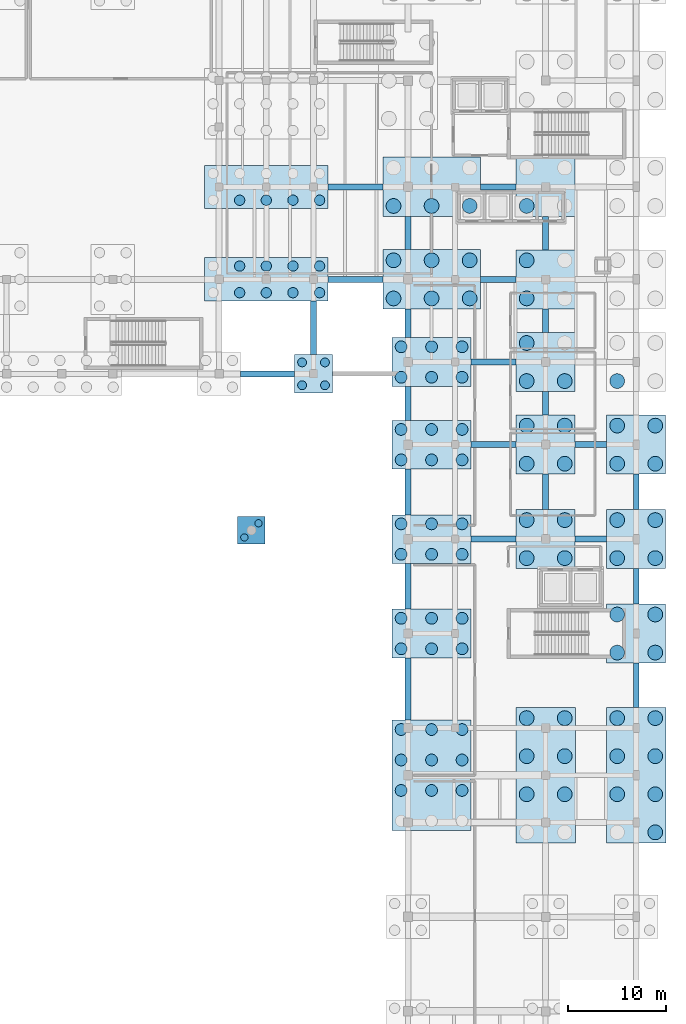
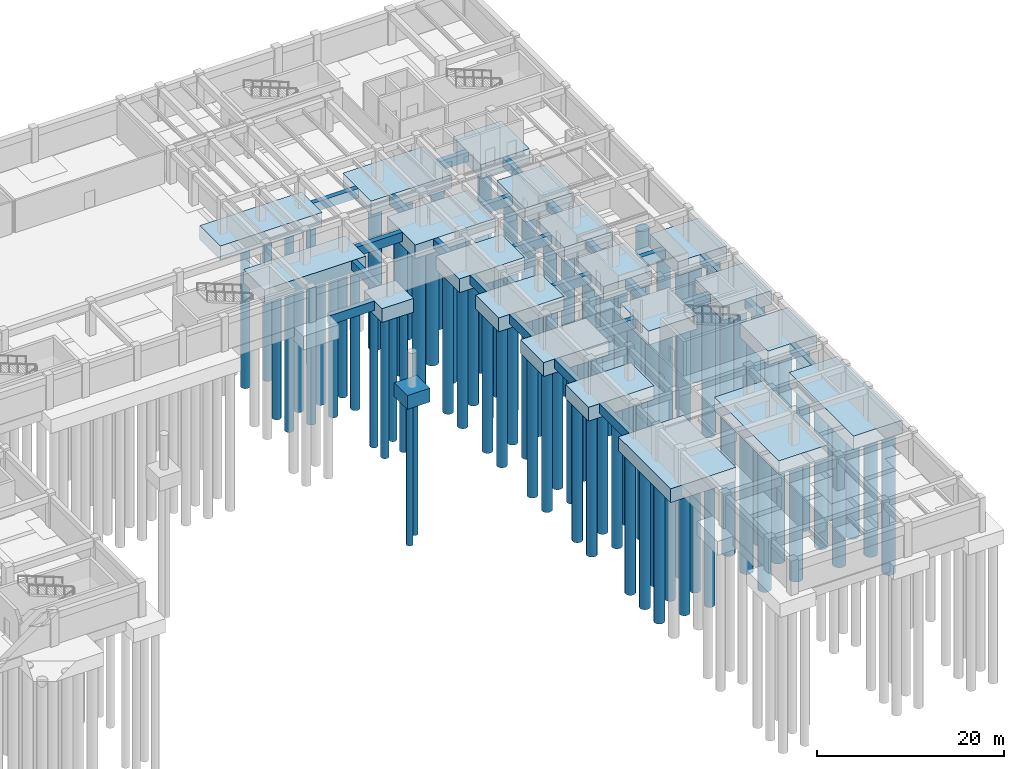
# One storey, part 5 of 33: 100 piles, 45 footings.
"""IFC4 building model written with IfcOpenShell, lengths in metres."""

from ifc_helpers import new_model, si_unit, direction, frame, origin, origin_2d, place, context, subcontext, project, spatial, rectangle, circle, extrude, material, material_profile, profile_set, type_object, element, save


model = new_model("IFC4")

# Units and contexts
model_context = context("Model", 3, precision=1e-05, world=origin(), true_north=direction((0.0, 1.0)))
body_context = subcontext(model_context, "Body", "Model", "MODEL_VIEW")
ifc_project = project(units=[si_unit("LENGTHUNIT", "METRE"), si_unit("AREAUNIT", "SQUARE_METRE"), si_unit("VOLUMEUNIT", "CUBIC_METRE"), si_unit("PLANEANGLEUNIT", "RADIAN"), si_unit("MASSUNIT", "GRAM", prefix="KILO")], contexts=[model_context])

# Site, building, storey
site_placement = place(None, origin())
site = spatial("IfcSite", under=ifc_project, at=site_placement, CompositionType="ELEMENT")
building_placement = place(site_placement, origin())
building = spatial("IfcBuilding", under=site, at=building_placement, Name="Veldera Park Congress Hotel", CompositionType="ELEMENT")
storey_placement = place(building_placement, frame((0.0, 0.0, -4.5)))
storey = spatial("IfcBuildingStorey", under=building, at=storey_placement, Name="B1", CompositionType="ELEMENT", Elevation=-4.5)

# Footings
ifc_material = material(Name="Concrete f'c 40 MPa (5,800 psi)", Category="concrete")
footing_type_1 = type_object("IfcFootingType", Name="FB-600X1200", PredefinedType="FOOTING_BEAM", material=ifc_material)
footing_1_placement = place(storey_placement, frame((69.512451171875, 0.60009765625, -1.2001953125), z_axis=(0.0, 0.0, 1.0), x_axis=(1.0, 0.0, 0.0)))
element("IfcFooting", 1, at=footing_1_placement, inside=storey, type_object=footing_type_1, Name="Foundation Tie Beam FB-600X1200 36", PredefinedType="FOOTING_BEAM", context=body_context, shape_type="SweptSolid", body=[
    extrude(rectangle(XDim=4.574951171875, YDim=0.60009765625, at=origin_2d()), origin(), (0.0, 0.0, 1.0), 1.199951171875),
])
footing_2_placement = place(storey_placement, frame((79.39990234375, 0.60009765625, -1.2001953125), z_axis=(0.0, 0.0, 1.0), x_axis=(1.0, 0.0, 0.0)))
element("IfcFooting", 2, at=footing_2_placement, inside=storey, type_object=footing_type_1, Name="Foundation Tie Beam FB-600X1200 37", PredefinedType="FOOTING_BEAM", context=body_context, shape_type="SweptSolid", body=[
    extrude(rectangle(XDim=3.199951171875, YDim=0.60009765625, at=origin_2d()), origin(), (0.0, 0.0, 1.0), 1.199951171875),
])
footing_3_placement = place(storey_placement, frame((69.512451171875, 10.199951171875, -1.2001953125), z_axis=(0.0, 0.0, 1.0), x_axis=(1.0, 0.0, 0.0)))
element("IfcFooting", 3, at=footing_3_placement, inside=storey, type_object=footing_type_1, Name="Foundation Tie Beam FB-600X1200 41", PredefinedType="FOOTING_BEAM", context=body_context, shape_type="SweptSolid", body=[
    extrude(rectangle(XDim=4.574951171875, YDim=0.60009765625, at=origin_2d()), origin(), (0.0, 0.0, 1.0), 1.199951171875),
])
footing_4_placement = place(storey_placement, frame((79.39990234375, 10.199951171875, -1.2001953125), z_axis=(0.0, 0.0, 1.0), x_axis=(1.0, 0.0, 0.0)))
element("IfcFooting", 4, at=footing_4_placement, inside=storey, type_object=footing_type_1, Name="Foundation Tie Beam FB-600X1200 42", PredefinedType="FOOTING_BEAM", context=body_context, shape_type="SweptSolid", body=[
    extrude(rectangle(XDim=3.199951171875, YDim=0.60009765625, at=origin_2d()), origin(), (0.0, 0.0, 1.0), 1.199951171875),
])
footing_5_placement = place(storey_placement, frame((46.52490234375, 17.39990234375, -1.2001953125), z_axis=(0.0, 0.0, 1.0), x_axis=(1.0, 0.0, 0.0)))
element("IfcFooting", 5, at=footing_5_placement, inside=storey, type_object=footing_type_1, Name="Foundation Tie Beam FB-600X1200 47", PredefinedType="FOOTING_BEAM", context=body_context, shape_type="SweptSolid", body=[
    extrude(rectangle(XDim=5.449951171875, YDim=0.60009765625, at=origin_2d()), origin(), (0.0, 0.0, 1.0), 1.199951171875),
])
footing_6_placement = place(storey_placement, frame((69.512451171875, 18.60009765625, -1.2001953125), z_axis=(0.0, 0.0, 1.0), x_axis=(1.0, 0.0, 0.0)))
element("IfcFooting", 6, at=footing_6_placement, inside=storey, type_object=footing_type_1, Name="Foundation Tie Beam FB-600X1200 48", PredefinedType="FOOTING_BEAM", context=body_context, shape_type="SweptSolid", body=[
    extrude(rectangle(XDim=4.574951171875, YDim=0.60009765625, at=origin_2d()), origin(), (0.0, 0.0, 1.0), 1.199951171875),
])
footing_7_placement = place(storey_placement, frame((55.46240234375, 27.0, -1.2001953125), z_axis=(0.0, 0.0, 1.0), x_axis=(1.0, 0.0, 0.0)))
element("IfcFooting", 7, at=footing_7_placement, inside=storey, type_object=footing_type_1, Name="Foundation Tie Beam FB-600X1200 62", PredefinedType="FOOTING_BEAM", context=body_context, shape_type="SweptSolid", body=[
    extrude(rectangle(XDim=5.574951171875, YDim=0.60009765625, at=origin_2d()), origin(), (0.0, 0.0, 1.0), 1.199951171875),
])
footing_8_placement = place(storey_placement, frame((69.97509765625, 27.0, -1.2001953125), z_axis=(0.0, 0.0, 1.0), x_axis=(1.0, 0.0, 0.0)))
element("IfcFooting", 8, at=footing_8_placement, inside=storey, type_object=footing_type_1, Name="Foundation Tie Beam FB-600X1200 63", PredefinedType="FOOTING_BEAM", context=body_context, shape_type="SweptSolid", body=[
    extrude(rectangle(XDim=3.64990234375, YDim=0.60009765625, at=origin_2d()), origin(), (0.0, 0.0, 1.0), 1.199951171875),
])
footing_9_placement = place(storey_placement, frame((55.46240234375, 36.39990234375, -1.2001953125), z_axis=(0.0, 0.0, 1.0), x_axis=(1.0, 0.0, 0.0)))
element("IfcFooting", 9, at=footing_9_placement, inside=storey, type_object=footing_type_1, Name="Foundation Tie Beam FB-600X1200 69", PredefinedType="FOOTING_BEAM", context=body_context, shape_type="SweptSolid", body=[
    extrude(rectangle(XDim=5.574951171875, YDim=0.60009765625, at=origin_2d()), origin(), (0.0, 0.0, 1.0), 1.199951171875),
])
footing_10_placement = place(storey_placement, frame((69.97509765625, 36.39990234375, -1.2001953125), z_axis=(0.0, 0.0, 1.0), x_axis=(1.0, 0.0, 0.0)))
element("IfcFooting", 10, at=footing_10_placement, inside=storey, type_object=footing_type_1, Name="Foundation Tie Beam FB-600X1200 70", PredefinedType="FOOTING_BEAM", context=body_context, shape_type="SweptSolid", body=[
    extrude(rectangle(XDim=3.64990234375, YDim=0.60009765625, at=origin_2d()), origin(), (0.0, 0.0, 1.0), 1.199951171875),
])
footing_11_placement = place(storey_placement, frame((51.199951171875, 22.074951171875, -1.2001953125), z_axis=(0.0, 0.0, 1.0), x_axis=(0.0, 1.0, 0.0)))
element("IfcFooting", 11, at=footing_11_placement, inside=storey, type_object=footing_type_1, Name="Foundation Tie Beam FB-600X1200 135", PredefinedType="FOOTING_BEAM", context=body_context, shape_type="SweptSolid", body=[
    extrude(rectangle(XDim=5.449951171875, YDim=0.60009765625, at=origin_2d()), origin(), (0.0, 0.0, 1.0), 1.199951171875),
])
footing_12_placement = place(storey_placement, frame((60.800048828125, -14.637451171875, -1.2001953125), z_axis=(0.0, 0.0, 1.0), x_axis=(0.0, 1.0, 0.0)))
element("IfcFooting", 12, at=footing_12_placement, inside=storey, type_object=footing_type_1, Name="Foundation Tie Beam FB-600X1200 138", PredefinedType="FOOTING_BEAM", context=body_context, shape_type="SweptSolid", body=[
    extrude(rectangle(XDim=6.324951171875, YDim=0.60009765625, at=origin_2d()), origin(), (0.0, 0.0, 1.0), 1.199951171875),
])
for number, where, z_axis, x_axis, name in (
    (13, (60.800048828125, -4.199951171875, -1.2001953125), (0.0, 0.0, 1.0), (0.0, 1.0, 0.0), "Foundation Tie Beam FB-600X1200 139"),
    (14, (60.800048828125, 5.39990234375, -1.2001953125), (0.0, 0.0, 1.0), (0.0, 1.0, 0.0), "Foundation Tie Beam FB-600X1200 140"),
):
    element("IfcFooting", number, at=place(storey_placement, frame(where, z_axis=z_axis, x_axis=x_axis)), inside=storey, type_object=footing_type_1, Name=name, PredefinedType="FOOTING_BEAM", context=body_context, shape_type="SweptSolid", body=[
        extrude(rectangle(XDim=4.64990234375, YDim=0.60009765625, at=origin_2d()), origin(), (0.0, 0.0, 1.0), 1.199951171875),
    ])
footing_13_placement = place(storey_placement, frame((60.800048828125, 14.39990234375, -1.2001953125), z_axis=(0.0, 0.0, 1.0), x_axis=(0.0, 1.0, 0.0)))
element("IfcFooting", 15, at=footing_13_placement, inside=storey, type_object=footing_type_1, Name="Foundation Tie Beam FB-600X1200 141", PredefinedType="FOOTING_BEAM", context=body_context, shape_type="SweptSolid", body=[
    extrude(rectangle(XDim=3.449951171875, YDim=0.60009765625, at=origin_2d()), origin(), (0.0, 0.0, 1.0), 1.199951171875),
])
footing_14_placement = place(storey_placement, frame((60.800048828125, 22.52490234375, -1.2001953125), z_axis=(0.0, 0.0, 1.0), x_axis=(0.0, 1.0, 0.0)))
element("IfcFooting", 16, at=footing_14_placement, inside=storey, type_object=footing_type_1, Name="Foundation Tie Beam FB-600X1200 142", PredefinedType="FOOTING_BEAM", context=body_context, shape_type="SweptSolid", body=[
    extrude(rectangle(XDim=2.89990234375, YDim=0.60009765625, at=origin_2d()), origin(), (0.0, 0.0, 1.0), 1.199951171875),
])
footing_15_placement = place(storey_placement, frame((60.800048828125, 31.699951171875, -1.2001953125), z_axis=(0.0, 0.0, 1.0), x_axis=(0.0, 1.0, 0.0)))
element("IfcFooting", 17, at=footing_15_placement, inside=storey, type_object=footing_type_1, Name="Foundation Tie Beam FB-600X1200 143", PredefinedType="FOOTING_BEAM", context=body_context, shape_type="SweptSolid", body=[
    extrude(rectangle(XDim=3.35009765625, YDim=0.60009765625, at=origin_2d()), origin(), (0.0, 0.0, 1.0), 1.199951171875),
])
footing_16_placement = place(storey_placement, frame((74.800048828125, 5.39990234375, -1.2001953125), z_axis=(0.0, 0.0, 1.0), x_axis=(0.0, 1.0, 0.0)))
element("IfcFooting", 18, at=footing_16_placement, inside=storey, type_object=footing_type_1, Name="Foundation Tie Beam FB-600X1200 148", PredefinedType="FOOTING_BEAM", context=body_context, shape_type="SweptSolid", body=[
    extrude(rectangle(XDim=3.60009765625, YDim=0.60009765625, at=origin_2d()), origin(), (0.0, 0.0, 1.0), 1.199951171875),
])
for number, where, z_axis, x_axis, name in (
    (19, (74.800048828125, 14.39990234375, -1.2001953125), (0.0, 0.0, 1.0), (0.0, 1.0, 0.0), "Foundation Tie Beam FB-600X1200 149"),
    (20, (74.800048828125, 22.800048828125, -1.2001953125), (0.0, 0.0, 1.0), (0.0, 1.0, 0.0), "Foundation Tie Beam FB-600X1200 150"),
):
    element("IfcFooting", number, at=place(storey_placement, frame(where, z_axis=z_axis, x_axis=x_axis)), inside=storey, type_object=footing_type_1, Name=name, PredefinedType="FOOTING_BEAM", context=body_context, shape_type="SweptSolid", body=[
        extrude(rectangle(XDim=2.39990234375, YDim=0.60009765625, at=origin_2d()), origin(), (0.0, 0.0, 1.0), 1.199951171875),
    ])
footing_17_placement = place(storey_placement, frame((74.800048828125, 31.699951171875, -1.2001953125), z_axis=(0.0, 0.0, 1.0), x_axis=(0.0, 1.0, 0.0)))
element("IfcFooting", 21, at=footing_17_placement, inside=storey, type_object=footing_type_1, Name="Foundation Tie Beam FB-600X1200 151", PredefinedType="FOOTING_BEAM", context=body_context, shape_type="SweptSolid", body=[
    extrude(rectangle(XDim=3.39990234375, YDim=0.60009765625, at=origin_2d()), origin(), (0.0, 0.0, 1.0), 1.199951171875),
])
footing_18_placement = place(storey_placement, frame((84.0, -14.262451171875, -1.2001953125), z_axis=(0.0, 0.0, 1.0), x_axis=(0.0, 1.0, 0.0)))
element("IfcFooting", 22, at=footing_18_placement, inside=storey, type_object=footing_type_1, Name="Foundation Tie Beam FB-600X1200 156", PredefinedType="FOOTING_BEAM", context=body_context, shape_type="SweptSolid", body=[
    extrude(rectangle(XDim=4.52490234375, YDim=0.60009765625, at=origin_2d()), origin(), (0.0, 0.0, 1.0), 1.199951171875),
])
for number, where, z_axis, x_axis, name in (
    (23, (84.0, -4.199951171875, -1.2001953125), (0.0, 0.0, 1.0), (0.0, 1.0, 0.0), "Foundation Tie Beam FB-600X1200 157"),
    (24, (84.0, 5.39990234375, -1.2001953125), (0.0, 0.0, 1.0), (0.0, 1.0, 0.0), "Foundation Tie Beam FB-600X1200 158"),
):
    element("IfcFooting", number, at=place(storey_placement, frame(where, z_axis=z_axis, x_axis=x_axis)), inside=storey, type_object=footing_type_1, Name=name, PredefinedType="FOOTING_BEAM", context=body_context, shape_type="SweptSolid", body=[
        extrude(rectangle(XDim=3.60009765625, YDim=0.60009765625, at=origin_2d()), origin(), (0.0, 0.0, 1.0), 1.199951171875),
    ])
footing_type_2 = type_object("IfcFootingType", Name="PC-1255X440", PredefinedType="PILE_CAP", material=ifc_material)
for number, where, z_axis, x_axis, name in (
    (25, (46.39990234375, 27.0, -1.7998046875), (0.0, 0.0, 1.0), (1.0, 0.0, 0.0), "Pile Cap PC-1255X440 at (46.4, 27.0)"),
    (26, (46.39990234375, 36.39990234375, -1.7998046875), (0.0, 0.0, 1.0), (1.0, 0.0, 0.0), "Pile Cap PC-1255X440 at (46.4, 36.4)"),
):
    element("IfcFooting", number, at=place(storey_placement, frame(where, z_axis=z_axis, x_axis=x_axis)), inside=storey, type_object=footing_type_2, Name=name, PredefinedType="PILE_CAP", context=body_context, shape_type="SweptSolid", body=[
        extrude(rectangle(XDim=12.550048828125, YDim=4.39990234375, at=origin_2d()), origin(), (0.0, 0.0, 1.0), 1.800048828125),
    ])
footing_type_3 = type_object("IfcFootingType", Name="PC-280", PredefinedType="PILE_CAP", material=ifc_material)
footing_19_placement = place(storey_placement, frame((44.89013671875, 1.489990234375, -1.7998046875), z_axis=(0.0, 0.0, 1.0), x_axis=(1.0, 0.0, 0.0)))
element("IfcFooting", 27, at=footing_19_placement, inside=storey, type_object=footing_type_3, Name="Bridge Pier Pile Cap 2", PredefinedType="PILE_CAP", context=body_context, shape_type="SweptSolid", body=[
    extrude(rectangle(XDim=2.800048828125, YDim=2.800048828125, at=origin_2d()), origin(), (0.0, 0.0, 1.0), 1.800048828125),
])
footing_type_4 = type_object("IfcFootingType", Name="PC-390", PredefinedType="PILE_CAP", material=ifc_material)
footing_20_placement = place(storey_placement, frame((51.199951171875, 17.39990234375, -1.7998046875), z_axis=(0.0, 0.0, 1.0), x_axis=(1.0, 0.0, 0.0)))
element("IfcFooting", 28, at=footing_20_placement, inside=storey, type_object=footing_type_4, Name="Pile Cap PC-390 at (51.2, 17.4)", PredefinedType="PILE_CAP", context=body_context, shape_type="SweptSolid", body=[
    extrude(rectangle(XDim=3.89990234375, YDim=3.89990234375, at=origin_2d()), origin(), (0.0, 0.0, 1.0), 1.800048828125),
])
footing_type_5 = type_object("IfcFootingType", Name="PC-600", PredefinedType="PILE_CAP", material=ifc_material)
for number, where, z_axis, x_axis, name in (
    (29, (74.800048828125, 0.60009765625, -1.7998046875), (0.0, 0.0, 1.0), (1.0, 0.0, 0.0), "Pile Cap PC-600 at (74.8, 0.6)"),
    (30, (74.800048828125, 10.199951171875, -1.7998046875), (0.0, 0.0, 1.0), (1.0, 0.0, 0.0), "Pile Cap PC-600 at (74.8, 10.2)"),
    (31, (74.800048828125, 18.60009765625, -1.7998046875), (0.0, 0.0, 1.0), (1.0, 0.0, 0.0), "Pile Cap PC-600 at (74.8, 18.6)"),
    (32, (74.800048828125, 27.0, -1.7998046875), (0.0, 0.0, 1.0), (1.0, 0.0, 0.0), "Pile Cap PC-600 at (74.8, 27.0)"),
    (33, (74.800048828125, 36.39990234375, -1.7998046875), (0.0, 0.0, 1.0), (1.0, 0.0, 0.0), "Pile Cap PC-600 at (74.8, 36.4)"),
    (34, (84.0, -9.0, -1.7998046875), (0.0, 0.0, 1.0), (1.0, 0.0, 0.0), "Pile Cap PC-600 at (84.0, -9.0)"),
    (35, (84.0, 0.60009765625, -1.7998046875), (0.0, 0.0, 1.0), (1.0, 0.0, 0.0), "Pile Cap PC-600 at (84.0, 0.6)"),
    (36, (84.0, 10.199951171875, -1.7998046875), (0.0, 0.0, 1.0), (1.0, 0.0, 0.0), "Pile Cap PC-600 at (84.0, 10.2)"),
):
    element("IfcFooting", number, at=place(storey_placement, frame(where, z_axis=z_axis, x_axis=x_axis)), inside=storey, type_object=footing_type_5, Name=name, PredefinedType="PILE_CAP", context=body_context, shape_type="SweptSolid", body=[
        extrude(rectangle(XDim=6.0, YDim=6.0, at=origin_2d()), origin(), (0.0, 0.0, 1.0), 1.800048828125),
    ])
footing_type_6 = type_object("IfcFootingType", Name="PC-605X1375", PredefinedType="PILE_CAP", material=ifc_material)
for number, where, z_axis, x_axis, name in (
    (37, (74.800048828125, -23.39990234375, -1.7998046875), (0.0, 0.0, 1.0), (1.0, 0.0, 0.0), "Pile Cap PC-605X1375 at (74.8, -23.4)"),
    (38, (84.0, -23.39990234375, -1.7998046875), (0.0, 0.0, 1.0), (1.0, 0.0, 0.0), "Pile Cap PC-605X1375 at (84.0, -23.4)"),
):
    element("IfcFooting", number, at=place(storey_placement, frame(where, z_axis=z_axis, x_axis=x_axis)), inside=storey, type_object=footing_type_6, Name=name, PredefinedType="PILE_CAP", context=body_context, shape_type="SweptSolid", body=[
        extrude(rectangle(XDim=6.050048828125, YDim=13.75, at=origin_2d()), origin(), (0.0, 0.0, 1.0), 1.800048828125),
    ])
footing_type_7 = type_object("IfcFootingType", Name="PC-805X1120", PredefinedType="PILE_CAP", material=ifc_material)
footing_21_placement = place(storey_placement, frame((63.199951171875, -23.39990234375, -1.7998046875), z_axis=(0.0, 0.0, 1.0), x_axis=(1.0, 0.0, 0.0)))
element("IfcFooting", 39, at=footing_21_placement, inside=storey, type_object=footing_type_7, Name="Pile Cap PC-805X1120 at (63.2, -23.4)", PredefinedType="PILE_CAP", context=body_context, shape_type="SweptSolid", body=[
    extrude(rectangle(XDim=8.050048828125, YDim=11.199951171875, at=origin_2d()), origin(), (0.0, 0.0, 1.0), 1.800048828125),
])
footing_type_8 = type_object("IfcFootingType", Name="PC-805X495", PredefinedType="PILE_CAP", material=ifc_material)
for number, where, z_axis, x_axis, name in (
    (40, (63.199951171875, -9.0, -1.7998046875), (0.0, 0.0, 1.0), (1.0, 0.0, 0.0), "Pile Cap PC-805X495 at (63.2, -9.0)"),
    (41, (63.199951171875, 0.60009765625, -1.7998046875), (0.0, 0.0, 1.0), (1.0, 0.0, 0.0), "Pile Cap PC-805X495 at (63.2, 0.6)"),
    (42, (63.199951171875, 10.199951171875, -1.7998046875), (0.0, 0.0, 1.0), (1.0, 0.0, 0.0), "Pile Cap PC-805X495 at (63.2, 10.2)"),
    (43, (63.199951171875, 18.60009765625, -1.7998046875), (0.0, 0.0, 1.0), (1.0, 0.0, 0.0), "Pile Cap PC-805X495 at (63.2, 18.6)"),
):
    element("IfcFooting", number, at=place(storey_placement, frame(where, z_axis=z_axis, x_axis=x_axis)), inside=storey, type_object=footing_type_8, Name=name, PredefinedType="PILE_CAP", context=body_context, shape_type="SweptSolid", body=[
        extrude(rectangle(XDim=8.050048828125, YDim=4.949951171875, at=origin_2d()), origin(), (0.0, 0.0, 1.0), 1.800048828125),
    ])
footing_type_9 = type_object("IfcFootingType", Name="PC-990X605", PredefinedType="PILE_CAP", material=ifc_material)
for number, where, z_axis, x_axis, name in (
    (44, (63.199951171875, 27.0, -1.7998046875), (0.0, 0.0, 1.0), (1.0, 0.0, 0.0), "Pile Cap PC-990X605 at (63.2, 27.0)"),
    (45, (63.199951171875, 36.39990234375, -1.7998046875), (0.0, 0.0, 1.0), (1.0, 0.0, 0.0), "Pile Cap PC-990X605 at (63.2, 36.4)"),
):
    element("IfcFooting", number, at=place(storey_placement, frame(where, z_axis=z_axis, x_axis=x_axis)), inside=storey, type_object=footing_type_9, Name=name, PredefinedType="PILE_CAP", context=body_context, shape_type="SweptSolid", body=[
        extrude(rectangle(XDim=9.89990234375, YDim=6.050048828125, at=origin_2d()), origin(), (0.0, 0.0, 1.0), 1.800048828125),
    ])

# Piles
ifc_material_profile_1 = material_profile(ifc_material, circle(Radius=0.52490234375, at=origin_2d()), Name="PILE D1050")
ifc_profile_set_1 = profile_set([ifc_material_profile_1], Name="Concrete f'c 40 MPa (5,800 psi)")
pile_type_1 = type_object("IfcPileType", Name="PIL-1050", PredefinedType="BORED", material=ifc_profile_set_1)
for number, where, z_axis, x_axis, name in (
    (46, (43.69091796875, 25.6455078125, -1.64990234375), (0.0, 0.0, -1.0), (1.0, 0.0, 0.0), "Bored Pile PIL-1050 359"),
    (47, (43.69091796875, 28.3544921875, -1.64990234375), (0.0, 0.0, -1.0), (1.0, 0.0, 0.0), "Bored Pile PIL-1050 360"),
    (48, (46.39990234375, 25.6455078125, -1.64990234375), (0.0, 0.0, -1.0), (1.0, 0.0, 0.0), "Bored Pile PIL-1050 361"),
    (49, (46.39990234375, 28.3544921875, -1.64990234375), (0.0, 0.0, -1.0), (1.0, 0.0, 0.0), "Bored Pile PIL-1050 362"),
    (50, (49.10888671875, 25.6455078125, -1.64990234375), (0.0, 0.0, -1.0), (1.0, 0.0, 0.0), "Bored Pile PIL-1050 363"),
    (51, (49.10888671875, 28.3544921875, -1.64990234375), (0.0, 0.0, -1.0), (1.0, 0.0, 0.0), "Bored Pile PIL-1050 364"),
    (52, (51.818115234375, 25.6455078125, -1.64990234375), (0.0, 0.0, -1.0), (1.0, 0.0, 0.0), "Bored Pile PIL-1050 365"),
    (53, (51.818115234375, 28.3544921875, -1.64990234375), (0.0, 0.0, -1.0), (1.0, 0.0, 0.0), "Bored Pile PIL-1050 366"),
    (54, (43.69091796875, 35.04541015625, -1.64990234375), (0.0, 0.0, -1.0), (1.0, 0.0, 0.0), "Bored Pile PIL-1050 369"),
    (55, (46.39990234375, 35.04541015625, -1.64990234375), (0.0, 0.0, -1.0), (1.0, 0.0, 0.0), "Bored Pile PIL-1050 371"),
    (56, (49.10888671875, 35.04541015625, -1.64990234375), (0.0, 0.0, -1.0), (1.0, 0.0, 0.0), "Bored Pile PIL-1050 373"),
    (57, (51.818115234375, 35.04541015625, -1.64990234375), (0.0, 0.0, -1.0), (1.0, 0.0, 0.0), "Bored Pile PIL-1050 375"),
):
    element("IfcPile", number, at=place(storey_placement, frame(where, z_axis=z_axis, x_axis=x_axis)), inside=storey, type_object=pile_type_1, Name=name, PredefinedType="BORED", context=body_context, shape_type="SweptSolid", body=[
        extrude(circle(Radius=0.52490234375, at=origin_2d()), origin(), (0.0, 0.0, 1.0), 18.35009765625),
    ])
ifc_material_profile_2 = material_profile(ifc_material, circle(Radius=0.60009765625, at=origin_2d()), Name="PILE D1200")
ifc_profile_set_2 = profile_set([ifc_material_profile_2], Name="Concrete f'c 40 MPa (5,800 psi)")
pile_type_2 = type_object("IfcPileType", Name="PIL-1200", PredefinedType="BORED", material=ifc_profile_set_2)
for number, where, z_axis, x_axis, name in (
    (58, (60.10400390625, -24.947998046875, -1.64990234375), (0.0, 0.0, -1.0), (1.0, 0.0, 0.0), "Bored Pile PIL-1200 419"),
    (59, (60.10400390625, -21.85205078125, -1.64990234375), (0.0, 0.0, -1.0), (1.0, 0.0, 0.0), "Bored Pile PIL-1200 420"),
    (60, (60.10400390625, -18.756103515625, -1.64990234375), (0.0, 0.0, -1.0), (1.0, 0.0, 0.0), "Bored Pile PIL-1200 421"),
    (61, (63.199951171875, -24.947998046875, -1.64990234375), (0.0, 0.0, -1.0), (1.0, 0.0, 0.0), "Bored Pile PIL-1200 423"),
    (62, (63.199951171875, -21.85205078125, -1.64990234375), (0.0, 0.0, -1.0), (1.0, 0.0, 0.0), "Bored Pile PIL-1200 424"),
    (63, (63.199951171875, -18.756103515625, -1.64990234375), (0.0, 0.0, -1.0), (1.0, 0.0, 0.0), "Bored Pile PIL-1200 425"),
    (64, (66.2958984375, -24.947998046875, -1.64990234375), (0.0, 0.0, -1.0), (1.0, 0.0, 0.0), "Bored Pile PIL-1200 427"),
    (65, (66.2958984375, -21.85205078125, -1.64990234375), (0.0, 0.0, -1.0), (1.0, 0.0, 0.0), "Bored Pile PIL-1200 428"),
    (66, (66.2958984375, -18.756103515625, -1.64990234375), (0.0, 0.0, -1.0), (1.0, 0.0, 0.0), "Bored Pile PIL-1200 429"),
    (67, (60.10400390625, -10.548095703125, -1.64990234375), (0.0, 0.0, -1.0), (1.0, 0.0, 0.0), "Bored Pile PIL-1200 430"),
    (68, (60.10400390625, -7.451904296875, -1.64990234375), (0.0, 0.0, -1.0), (1.0, 0.0, 0.0), "Bored Pile PIL-1200 431"),
    (69, (63.199951171875, -10.548095703125, -1.64990234375), (0.0, 0.0, -1.0), (1.0, 0.0, 0.0), "Bored Pile PIL-1200 432"),
    (70, (63.199951171875, -7.451904296875, -1.64990234375), (0.0, 0.0, -1.0), (1.0, 0.0, 0.0), "Bored Pile PIL-1200 433"),
    (71, (66.2958984375, -10.548095703125, -1.64990234375), (0.0, 0.0, -1.0), (1.0, 0.0, 0.0), "Bored Pile PIL-1200 434"),
    (72, (66.2958984375, -7.451904296875, -1.64990234375), (0.0, 0.0, -1.0), (1.0, 0.0, 0.0), "Bored Pile PIL-1200 435"),
    (73, (60.10400390625, -0.947998046875, -1.64990234375), (0.0, 0.0, -1.0), (1.0, 0.0, 0.0), "Bored Pile PIL-1200 436"),
    (74, (60.10400390625, 2.14794921875, -1.64990234375), (0.0, 0.0, -1.0), (1.0, 0.0, 0.0), "Bored Pile PIL-1200 437"),
    (75, (63.199951171875, -0.947998046875, -1.64990234375), (0.0, 0.0, -1.0), (1.0, 0.0, 0.0), "Bored Pile PIL-1200 438"),
    (76, (63.199951171875, 2.14794921875, -1.64990234375), (0.0, 0.0, -1.0), (1.0, 0.0, 0.0), "Bored Pile PIL-1200 439"),
    (77, (66.2958984375, -0.947998046875, -1.64990234375), (0.0, 0.0, -1.0), (1.0, 0.0, 0.0), "Bored Pile PIL-1200 440"),
    (78, (66.2958984375, 2.14794921875, -1.64990234375), (0.0, 0.0, -1.0), (1.0, 0.0, 0.0), "Bored Pile PIL-1200 441"),
    (79, (60.10400390625, 8.652099609375, -1.64990234375), (0.0, 0.0, -1.0), (1.0, 0.0, 0.0), "Bored Pile PIL-1200 442"),
    (80, (60.10400390625, 11.748046875, -1.64990234375), (0.0, 0.0, -1.0), (1.0, 0.0, 0.0), "Bored Pile PIL-1200 443"),
    (81, (63.199951171875, 8.652099609375, -1.64990234375), (0.0, 0.0, -1.0), (1.0, 0.0, 0.0), "Bored Pile PIL-1200 444"),
    (82, (63.199951171875, 11.748046875, -1.64990234375), (0.0, 0.0, -1.0), (1.0, 0.0, 0.0), "Bored Pile PIL-1200 445"),
    (83, (66.2958984375, 8.652099609375, -1.64990234375), (0.0, 0.0, -1.0), (1.0, 0.0, 0.0), "Bored Pile PIL-1200 446"),
    (84, (66.2958984375, 11.748046875, -1.64990234375), (0.0, 0.0, -1.0), (1.0, 0.0, 0.0), "Bored Pile PIL-1200 447"),
    (85, (60.10400390625, 17.052001953125, -1.64990234375), (0.0, 0.0, -1.0), (1.0, 0.0, 0.0), "Bored Pile PIL-1200 448"),
    (86, (60.10400390625, 20.14794921875, -1.64990234375), (0.0, 0.0, -1.0), (1.0, 0.0, 0.0), "Bored Pile PIL-1200 449"),
    (87, (63.199951171875, 17.052001953125, -1.64990234375), (0.0, 0.0, -1.0), (1.0, 0.0, 0.0), "Bored Pile PIL-1200 450"),
    (88, (63.199951171875, 20.14794921875, -1.64990234375), (0.0, 0.0, -1.0), (1.0, 0.0, 0.0), "Bored Pile PIL-1200 451"),
    (89, (66.2958984375, 17.052001953125, -1.64990234375), (0.0, 0.0, -1.0), (1.0, 0.0, 0.0), "Bored Pile PIL-1200 452"),
    (90, (66.2958984375, 20.14794921875, -1.64990234375), (0.0, 0.0, -1.0), (1.0, 0.0, 0.0), "Bored Pile PIL-1200 453"),
):
    element("IfcPile", number, at=place(storey_placement, frame(where, z_axis=z_axis, x_axis=x_axis)), inside=storey, type_object=pile_type_2, Name=name, PredefinedType="BORED", context=body_context, shape_type="SweptSolid", body=[
        extrude(circle(Radius=0.60009765625, at=origin_2d()), origin(), (0.0, 0.0, 1.0), 18.35009765625),
    ])
ifc_material_profile_3 = material_profile(ifc_material, circle(Radius=0.75, at=origin_2d()), Name="PILE D1500")
ifc_profile_set_3 = profile_set([ifc_material_profile_3], Name="Concrete f'c 40 MPa (5,800 psi)")
pile_type_3 = type_object("IfcPileType", Name="PIL-1500", PredefinedType="BORED", material=ifc_profile_set_3)
for number, where, z_axis, x_axis, name in (
    (91, (59.330078125, 25.06494140625, -1.64990234375), (0.0, 0.0, -1.0), (1.0, 0.0, 0.0), "Bored Pile PIL-1500 454"),
    (92, (59.330078125, 28.93505859375, -1.64990234375), (0.0, 0.0, -1.0), (1.0, 0.0, 0.0), "Bored Pile PIL-1500 455"),
    (93, (63.199951171875, 25.06494140625, -1.64990234375), (0.0, 0.0, -1.0), (1.0, 0.0, 0.0), "Bored Pile PIL-1500 456"),
    (94, (63.199951171875, 28.93505859375, -1.64990234375), (0.0, 0.0, -1.0), (1.0, 0.0, 0.0), "Bored Pile PIL-1500 457"),
    (95, (67.070068359375, 25.06494140625, -1.64990234375), (0.0, 0.0, -1.0), (1.0, 0.0, 0.0), "Bored Pile PIL-1500 458"),
    (96, (67.070068359375, 28.93505859375, -1.64990234375), (0.0, 0.0, -1.0), (1.0, 0.0, 0.0), "Bored Pile PIL-1500 459"),
    (97, (59.330078125, 34.465087890625, -1.64990234375), (0.0, 0.0, -1.0), (1.0, 0.0, 0.0), "Bored Pile PIL-1500 460"),
    (98, (63.199951171875, 34.465087890625, -1.64990234375), (0.0, 0.0, -1.0), (1.0, 0.0, 0.0), "Bored Pile PIL-1500 462"),
    (99, (67.070068359375, 34.465087890625, -1.64990234375), (0.0, 0.0, -1.0), (1.0, 0.0, 0.0), "Bored Pile PIL-1500 464"),
    (100, (72.864990234375, -25.3349609375, -1.64990234375), (0.0, 0.0, -1.0), (1.0, 0.0, 0.0), "Bored Pile PIL-1500 489"),
    (101, (72.864990234375, -21.465087890625, -1.64990234375), (0.0, 0.0, -1.0), (1.0, 0.0, 0.0), "Bored Pile PIL-1500 490"),
    (102, (72.864990234375, -17.594970703125, -1.64990234375), (0.0, 0.0, -1.0), (1.0, 0.0, 0.0), "Bored Pile PIL-1500 491"),
    (103, (76.735107421875, -25.3349609375, -1.64990234375), (0.0, 0.0, -1.0), (1.0, 0.0, 0.0), "Bored Pile PIL-1500 493"),
    (104, (76.735107421875, -21.465087890625, -1.64990234375), (0.0, 0.0, -1.0), (1.0, 0.0, 0.0), "Bored Pile PIL-1500 494"),
    (105, (76.735107421875, -17.594970703125, -1.64990234375), (0.0, 0.0, -1.0), (1.0, 0.0, 0.0), "Bored Pile PIL-1500 495"),
    (106, (72.864990234375, -1.3349609375, -1.64990234375), (0.0, 0.0, -1.0), (1.0, 0.0, 0.0), "Bored Pile PIL-1500 496"),
    (107, (76.735107421875, -1.3349609375, -1.64990234375), (0.0, 0.0, -1.0), (1.0, 0.0, 0.0), "Bored Pile PIL-1500 497"),
    (108, (72.864990234375, 2.534912109375, -1.64990234375), (0.0, 0.0, -1.0), (1.0, 0.0, 0.0), "Bored Pile PIL-1500 498"),
    (109, (76.735107421875, 2.534912109375, -1.64990234375), (0.0, 0.0, -1.0), (1.0, 0.0, 0.0), "Bored Pile PIL-1500 499"),
    (110, (72.864990234375, 8.264892578125, -1.64990234375), (0.0, 0.0, -1.0), (1.0, 0.0, 0.0), "Bored Pile PIL-1500 500"),
    (111, (76.735107421875, 8.264892578125, -1.64990234375), (0.0, 0.0, -1.0), (1.0, 0.0, 0.0), "Bored Pile PIL-1500 501"),
    (112, (72.864990234375, 12.135009765625, -1.64990234375), (0.0, 0.0, -1.0), (1.0, 0.0, 0.0), "Bored Pile PIL-1500 502"),
    (113, (76.735107421875, 12.135009765625, -1.64990234375), (0.0, 0.0, -1.0), (1.0, 0.0, 0.0), "Bored Pile PIL-1500 503"),
    (114, (72.864990234375, 16.6650390625, -1.64990234375), (0.0, 0.0, -1.0), (1.0, 0.0, 0.0), "Bored Pile PIL-1500 504"),
    (115, (76.735107421875, 16.6650390625, -1.64990234375), (0.0, 0.0, -1.0), (1.0, 0.0, 0.0), "Bored Pile PIL-1500 505"),
    (116, (72.864990234375, 20.534912109375, -1.64990234375), (0.0, 0.0, -1.0), (1.0, 0.0, 0.0), "Bored Pile PIL-1500 506"),
    (117, (72.864990234375, 25.06494140625, -1.64990234375), (0.0, 0.0, -1.0), (1.0, 0.0, 0.0), "Bored Pile PIL-1500 508"),
    (118, (72.864990234375, 28.93505859375, -1.64990234375), (0.0, 0.0, -1.0), (1.0, 0.0, 0.0), "Bored Pile PIL-1500 510"),
    (119, (72.864990234375, 34.465087890625, -1.64990234375), (0.0, 0.0, -1.0), (1.0, 0.0, 0.0), "Bored Pile PIL-1500 512"),
    (120, (82.06494140625, -25.3349609375, -1.64990234375), (0.0, 0.0, -1.0), (1.0, 0.0, 0.0), "Bored Pile PIL-1500 535"),
    (121, (82.06494140625, -21.465087890625, -1.64990234375), (0.0, 0.0, -1.0), (1.0, 0.0, 0.0), "Bored Pile PIL-1500 536"),
    (122, (82.06494140625, -17.594970703125, -1.64990234375), (0.0, 0.0, -1.0), (1.0, 0.0, 0.0), "Bored Pile PIL-1500 537"),
    (123, (85.93505859375, -29.205078125, -1.64990234375), (0.0, 0.0, -1.0), (1.0, 0.0, 0.0), "Bored Pile PIL-1500 538"),
    (124, (85.93505859375, -25.3349609375, -1.64990234375), (0.0, 0.0, -1.0), (1.0, 0.0, 0.0), "Bored Pile PIL-1500 539"),
    (125, (85.93505859375, -21.465087890625, -1.64990234375), (0.0, 0.0, -1.0), (1.0, 0.0, 0.0), "Bored Pile PIL-1500 540"),
    (126, (85.93505859375, -17.594970703125, -1.64990234375), (0.0, 0.0, -1.0), (1.0, 0.0, 0.0), "Bored Pile PIL-1500 541"),
    (127, (82.06494140625, -10.93505859375, -1.64990234375), (0.0, 0.0, -1.0), (1.0, 0.0, 0.0), "Bored Pile PIL-1500 542"),
    (128, (85.93505859375, -10.93505859375, -1.64990234375), (0.0, 0.0, -1.0), (1.0, 0.0, 0.0), "Bored Pile PIL-1500 543"),
    (129, (82.06494140625, -7.06494140625, -1.64990234375), (0.0, 0.0, -1.0), (1.0, 0.0, 0.0), "Bored Pile PIL-1500 544"),
    (130, (85.93505859375, -7.06494140625, -1.64990234375), (0.0, 0.0, -1.0), (1.0, 0.0, 0.0), "Bored Pile PIL-1500 545"),
    (131, (82.06494140625, -1.3349609375, -1.64990234375), (0.0, 0.0, -1.0), (1.0, 0.0, 0.0), "Bored Pile PIL-1500 546"),
    (132, (85.93505859375, -1.3349609375, -1.64990234375), (0.0, 0.0, -1.0), (1.0, 0.0, 0.0), "Bored Pile PIL-1500 547"),
    (133, (82.06494140625, 2.534912109375, -1.64990234375), (0.0, 0.0, -1.0), (1.0, 0.0, 0.0), "Bored Pile PIL-1500 548"),
    (134, (85.93505859375, 2.534912109375, -1.64990234375), (0.0, 0.0, -1.0), (1.0, 0.0, 0.0), "Bored Pile PIL-1500 549"),
    (135, (82.06494140625, 8.264892578125, -1.64990234375), (0.0, 0.0, -1.0), (1.0, 0.0, 0.0), "Bored Pile PIL-1500 550"),
    (136, (85.93505859375, 8.264892578125, -1.64990234375), (0.0, 0.0, -1.0), (1.0, 0.0, 0.0), "Bored Pile PIL-1500 551"),
    (137, (82.06494140625, 12.135009765625, -1.64990234375), (0.0, 0.0, -1.0), (1.0, 0.0, 0.0), "Bored Pile PIL-1500 552"),
    (138, (85.93505859375, 12.135009765625, -1.64990234375), (0.0, 0.0, -1.0), (1.0, 0.0, 0.0), "Bored Pile PIL-1500 553"),
    (139, (82.06494140625, 16.6650390625, -1.64990234375), (0.0, 0.0, -1.0), (1.0, 0.0, 0.0), "Bored Pile PIL-1500 554"),
):
    element("IfcPile", number, at=place(storey_placement, frame(where, z_axis=z_axis, x_axis=x_axis)), inside=storey, type_object=pile_type_3, Name=name, PredefinedType="BORED", context=body_context, shape_type="SweptSolid", body=[
        extrude(circle(Radius=0.75, at=origin_2d()), origin(), (0.0, 0.0, 1.0), 18.35009765625),
    ])
ifc_material_profile_4 = material_profile(ifc_material, circle(Radius=0.375, at=origin_2d()), Name="PILE D750")
ifc_profile_set_4 = profile_set([ifc_material_profile_4], Name="Concrete f'c 40 MPa (5,800 psi)")
pile_type_4 = type_object("IfcPileType", Name="PIL-750", PredefinedType="BORED", material=ifc_profile_set_4)
for number, where, z_axis, x_axis, name in (
    (140, (44.170166015625, 0.77001953125, -1.64990234375), (0.0, 0.0, -1.0), (1.0, 0.0, 0.0), "Bridge Pier Pile 2-1"),
    (141, (45.610107421875, 2.210205078125, -1.64990234375), (0.0, 0.0, -1.0), (1.0, 0.0, 0.0), "Bridge Pier Pile 2-2"),
):
    element("IfcPile", number, at=place(storey_placement, frame(where, z_axis=z_axis, x_axis=x_axis)), inside=storey, type_object=pile_type_4, Name=name, PredefinedType="BORED", context=body_context, shape_type="SweptSolid", body=[
        extrude(circle(Radius=0.375, at=origin_2d()), origin(), (0.0, 0.0, 1.0), 18.35009765625),
    ])
ifc_material_profile_5 = material_profile(ifc_material, circle(Radius=0.449951171875, at=origin_2d()), Name="PILE D900")
ifc_profile_set_5 = profile_set([ifc_material_profile_5], Name="Concrete f'c 40 MPa (5,800 psi)")
pile_type_5 = type_object("IfcPileType", Name="PIL-900", PredefinedType="BORED", material=ifc_profile_set_5)
for number, where, z_axis, x_axis, name in (
    (142, (50.0390625, 16.239013671875, -1.64990234375), (0.0, 0.0, -1.0), (1.0, 0.0, 0.0), "Bored Pile PIL-900 404"),
    (143, (52.361083984375, 16.239013671875, -1.64990234375), (0.0, 0.0, -1.0), (1.0, 0.0, 0.0), "Bored Pile PIL-900 405"),
    (144, (50.0390625, 18.56103515625, -1.64990234375), (0.0, 0.0, -1.0), (1.0, 0.0, 0.0), "Bored Pile PIL-900 406"),
    (145, (52.361083984375, 18.56103515625, -1.64990234375), (0.0, 0.0, -1.0), (1.0, 0.0, 0.0), "Bored Pile PIL-900 407"),
):
    element("IfcPile", number, at=place(storey_placement, frame(where, z_axis=z_axis, x_axis=x_axis)), inside=storey, type_object=pile_type_5, Name=name, PredefinedType="BORED", context=body_context, shape_type="SweptSolid", body=[
        extrude(circle(Radius=0.449951171875, at=origin_2d()), origin(), (0.0, 0.0, 1.0), 18.35009765625),
    ])

save(model, "model.ifc")
